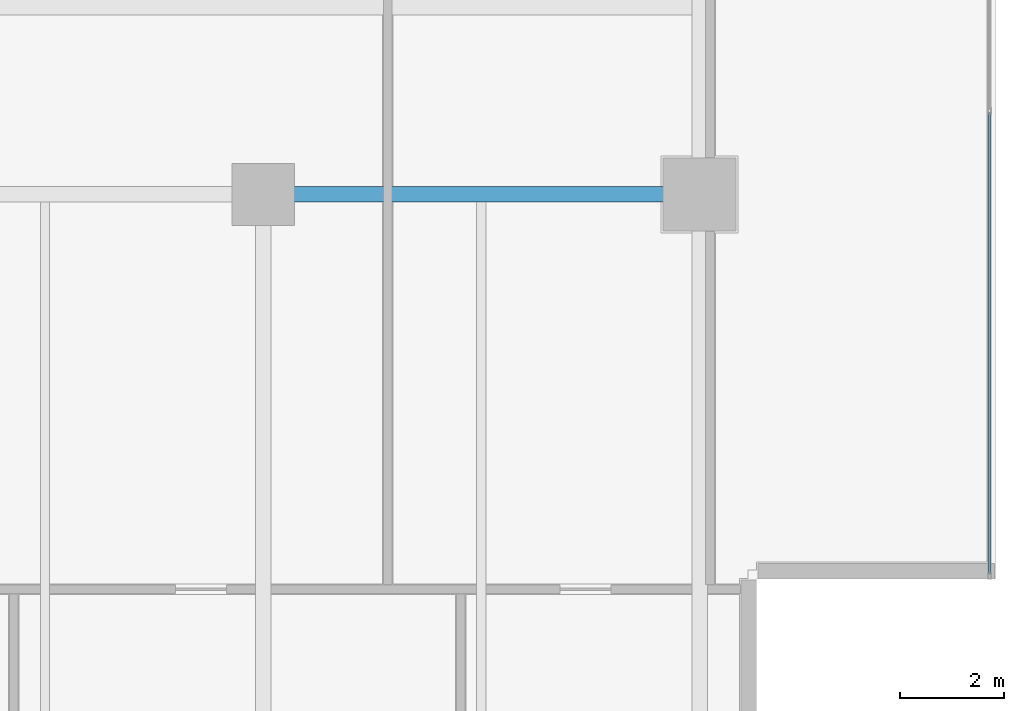
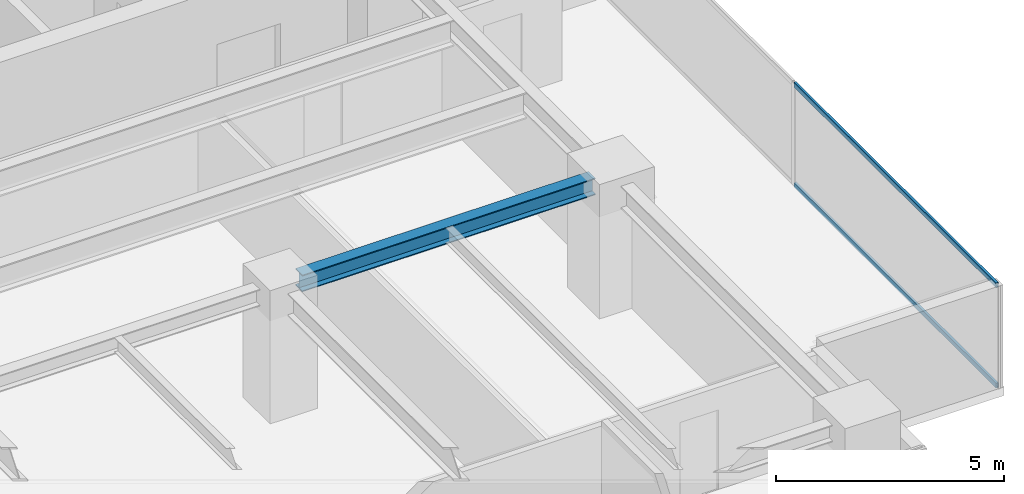
# One storey, part 12 of 26: 2 members, 1 beam, 1 element without a shape of its own.
"""IFC4 building model written with IfcOpenShell, lengths in metres."""

from ifc_helpers import new_model, si_unit, direction, frame, origin, origin_2d, place, context, subcontext, project, spatial, hollow_rectangle, i_section, extrude, source, transform, mapped, material, layer, layer_set, material_profile, profile_set, type_object, element, aggregate, save


model = new_model("IFC4")

# Units and contexts
model_context = context("Model", 3, precision=1e-05, world=origin(), true_north=direction((0.0, 1.0)))
body_context = subcontext(model_context, "Body", "Model", "MODEL_VIEW")
ifc_project = project(units=[si_unit("LENGTHUNIT", "METRE"), si_unit("AREAUNIT", "SQUARE_METRE"), si_unit("VOLUMEUNIT", "CUBIC_METRE"), si_unit("PLANEANGLEUNIT", "RADIAN"), si_unit("MASSUNIT", "GRAM", prefix="KILO")], contexts=[model_context])

# Site, building, storey
site_placement = place(None, origin())
site = spatial("IfcSite", under=ifc_project, at=site_placement, CompositionType="ELEMENT")
building_placement = place(site_placement, origin())
building = spatial("IfcBuilding", under=site, at=building_placement, Name="Sumidabori Civic Tower", CompositionType="ELEMENT")
storey_placement = place(building_placement, frame((0.0, 0.0, 254.0)))
storey = spatial("IfcBuildingStorey", under=building, at=storey_placement, Name="L66", CompositionType="ELEMENT", Elevation=254.0)

# Beam
ifc_material_1 = material(Name="Steel SN490", Category="steel")
ifc_material_profile_1 = material_profile(ifc_material_1, i_section(OverallWidth=0.300048828125, OverallDepth=0.449951171875, WebThickness=0.013916015625, FlangeThickness=0.02587890625, at=origin_2d()), Name="HE 450 B")
ifc_profile_set_1 = profile_set([ifc_material_profile_1], Name="Steel SN490")
beam_type = type_object("IfcBeamType", Name="BM-GIRD-450", PredefinedType="BEAM", material=ifc_profile_set_1)
shared_shape_1 = source(origin(), body_context, "Body", "SweptSolid", [
    extrude(i_section(OverallWidth=0.300048828125, OverallDepth=0.449951171875, WebThickness=0.013916015625, FlangeThickness=0.02587890625, at=origin_2d()), origin(), (0.0, 0.0, 1.0), 7.440185546875),
])
beam_placement = place(storey_placement, frame((8.8798828125, 0.0, 3.14501953125), z_axis=(1.0, 0.0, 0.0), x_axis=(0.0, 1.0, 0.0)))
element("IfcBeam", 1, at=beam_placement, inside=storey, type_object=beam_type, Name="Primary Girder L66 GX-08", PredefinedType="BEAM", context=body_context, shape_type="MappedRepresentation", body=[
    mapped(shared_shape_1, transform((0.0, 0.0, 0.0), x_axis=(1.0, 0.0, 0.0), y_axis=(0.0, 1.0, 0.0), z_axis=(0.0, 0.0, 1.0), scale=1.0)),
])

# Curtain wall, members
ifc_material_2 = material(Name="Anodised Bronze Aluminium AW-6063-T6", Category="aluminium")
ifc_layer = layer(ifc_material_2, 0.179931640625, Name="Anodised Bronze Aluminium AW-6063-T6")
ifc_layer_set = layer_set([ifc_layer], Name="Anodised Bronze Aluminium AW-6063-T6")
curtain_wall_type = type_object("IfcCurtainWallType", Name="CW-SYS-5", PredefinedType="NOTDEFINED", material=ifc_layer_set)
curtain_wall_placement = place(storey_placement, origin())
curtain_wall = element("IfcCurtainWall", 2, at=curtain_wall_placement, inside=storey, type_object=curtain_wall_type, Name="Curtain Wall CW:L66:R04", PredefinedType="NOTDEFINED")
ifc_material_profile_2 = material_profile(ifc_material_2, hollow_rectangle(XDim=0.06005859375, YDim=0.1298828125, WallThickness=0.0048828125, at=origin_2d()), Name="ALU TRANSOM 130x60")
ifc_profile_set_2 = profile_set([ifc_material_profile_2], Name="Anodised Bronze Aluminium AW-6063-T6")
member_type = type_object("IfcMemberType", Name="CW-TRN-130", PredefinedType="USERDEFINED", material=ifc_profile_set_2)
shared_shape_2 = source(origin(), body_context, "Body", "SweptSolid", [
    extrude(hollow_rectangle(XDim=0.06005859375, YDim=0.1298828125, WallThickness=0.0048828125, at=origin_2d()), origin(), (0.0, 0.0, 1.0), 8.89013671875),
])
member_1_placement = place(storey_placement, frame((22.3798828125, -7.31005859375, 0.030029296875), z_axis=(0.0, 1.0, 0.0), x_axis=(-1.0, 0.0, 0.0)))
member_1 = element("IfcMember", 3, at=member_1_placement, type_object=member_type, Name="CW-5 transom 1.1", ObjectType="TRANSOM", PredefinedType="USERDEFINED", context=body_context, shape_type="MappedRepresentation", body=[
    mapped(shared_shape_2, transform((0.0, 0.0, 0.0), x_axis=(1.0, 0.0, 0.0), y_axis=(0.0, 1.0, 0.0), z_axis=(0.0, 0.0, 1.0), scale=1.0)),
])
member_2_placement = place(storey_placement, frame((22.3798828125, -7.31005859375, 2.719970703125), z_axis=(0.0, 1.0, 0.0), x_axis=(-1.0, 0.0, 0.0)))
member_2 = element("IfcMember", 4, at=member_2_placement, type_object=member_type, Name="CW-5 transom 1.2", ObjectType="TRANSOM", PredefinedType="USERDEFINED", context=body_context, shape_type="MappedRepresentation", body=[
    mapped(shared_shape_2, transform((0.0, 0.0, 0.0), x_axis=(1.0, 0.0, 0.0), y_axis=(0.0, 1.0, 0.0), z_axis=(0.0, 0.0, 1.0), scale=1.0)),
])
aggregate(curtain_wall, [member_1, member_2])

save(model, "model.ifc")
